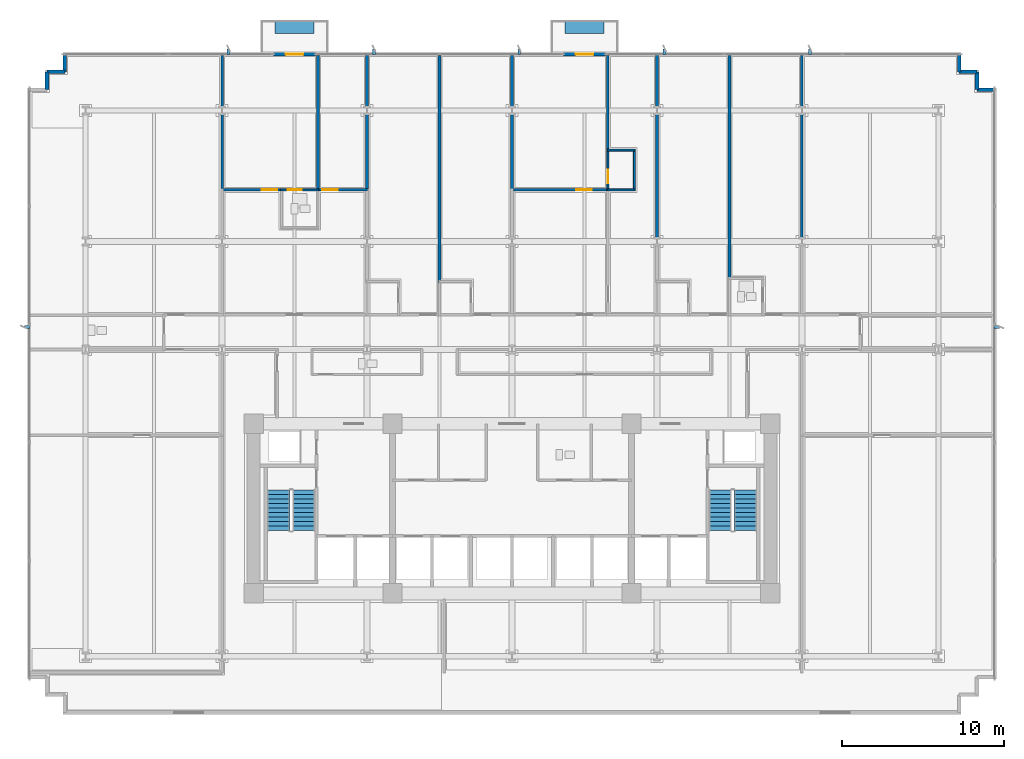
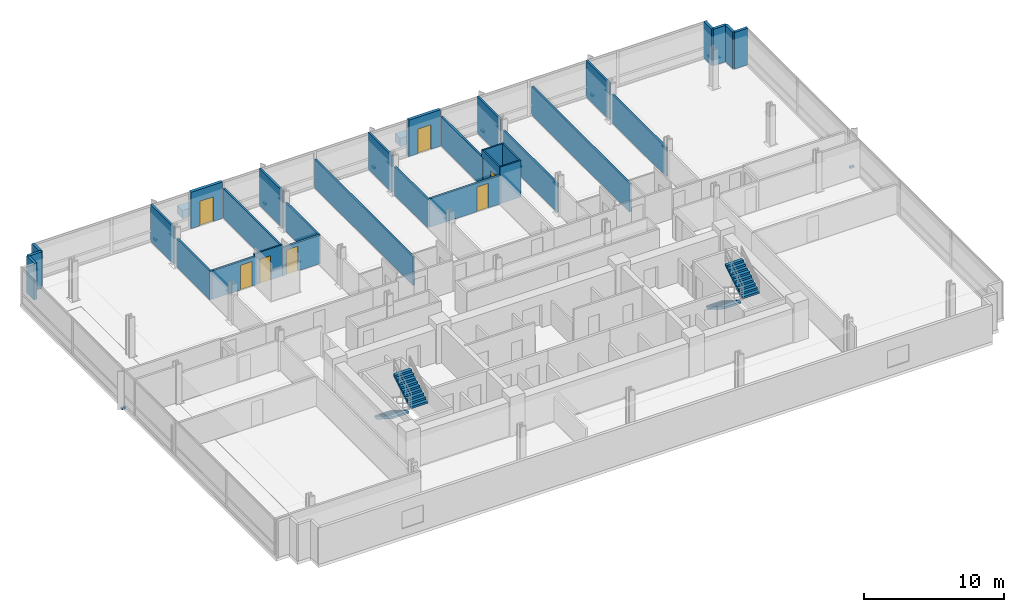
# One storey, part 11 of 15: 31 walls, 9 discrete accessories, 7 doors, 4 stair flights, 7 openings, 2 elements without a shape of their own.
"""IFC4 building model written with IfcOpenShell, lengths in metres."""

from ifc_helpers import new_model, si_unit, direction, frame, frame_2d, origin, origin_2d, place, context, subcontext, project, spatial, polyline, rectangle, outline, extrude, material, layer, layer_set, type_object, element, fill, aggregate, save


model = new_model("IFC4")

# Units and contexts
model_context = context("Model", 3, precision=1e-05, world=origin(), true_north=direction((0.0, 1.0)))
body_context = subcontext(model_context, "Body", "Model", "MODEL_VIEW")
ifc_project = project(units=[si_unit("LENGTHUNIT", "METRE"), si_unit("AREAUNIT", "SQUARE_METRE"), si_unit("VOLUMEUNIT", "CUBIC_METRE"), si_unit("PLANEANGLEUNIT", "RADIAN"), si_unit("MASSUNIT", "GRAM", prefix="KILO")], contexts=[model_context])

# Site, building, storey
site_placement = place(None, origin())
site = spatial("IfcSite", under=ifc_project, at=site_placement, CompositionType="ELEMENT")
building_placement = place(site_placement, origin())
building = spatial("IfcBuilding", under=site, at=building_placement, Name="Solmavex Isthmus Hotel", CompositionType="ELEMENT")
storey_placement = place(building_placement, frame((0.0, 0.0, 64.35009765625)))
storey = spatial("IfcBuildingStorey", under=building, at=storey_placement, Name="L17", CompositionType="ELEMENT", Elevation=64.35009765625)

# Wall, opening, door
ifc_material_1 = material(Name="Precast Concrete C40/50", Category="concrete")
ifc_layer_1 = layer(ifc_material_1, 0.25)
ifc_layer_set_1 = layer_set([ifc_layer_1], Name="Precast Concrete C40/50")
wall_type_1 = type_object("IfcWallType", Name="EW-TWR-250", PredefinedType="STANDARD", material=ifc_layer_set_1)
wall_1_placement = place(storey_placement, frame((-14.763916015625, 20.3798828125, 0.0), z_axis=(0.0, 0.0, 1.0), x_axis=(1.0, 0.0, 0.0)))
wall_1 = element("IfcWall", 1, at=wall_1_placement, inside=storey, type_object=wall_type_1, Name="Exterior Balcony Door Wall L17-2", PredefinedType="STANDARD", context=body_context, shape_type="SweptSolid", body=[
    extrude(rectangle(XDim=2.599853515625, YDim=0.239990234375, at=frame_2d((1.2998046875, 0.0))), origin(), (0.0, 0.0, 1.0), 3.18994140625),
])
opening_1_placement = place(wall_1_placement, frame((0.75, 0.0, 0.0)))
opening_1 = element("IfcOpeningElement", 2, at=opening_1_placement, cuts=wall_1, Name="Opening ED-02", PredefinedType="OPENING", context=body_context, shape_type="SweptSolid", body=[
    extrude(rectangle(XDim=1.10009765625, YDim=2.14990234375, at=frame_2d((0.550048828125, 1.074951171875))), frame((0.0, 0.1298828125, 0.0), z_axis=(0.0, -1.0, 0.0), x_axis=(1.0, 0.0, 0.0)), (0.0, 0.0, 1.0), 0.260009765625),
])
ifc_material_2 = material(Name="Aluminium alloy 6063-T6", Category="aluminium")
door_type_1 = type_object("IfcDoorType", Name="EDR-BALC-1100", OperationType="NOTDEFINED", PredefinedType="DOOR", material=ifc_material_2)
door_1_placement = place(opening_1_placement, origin())
door_1 = element("IfcDoor", 3, at=door_1_placement, inside=storey, type_object=door_type_1, Name="Balcony & Terrace Glazed Door L17-2", OperationType="SINGLE_SWING_RIGHT", OverallHeight=2.14990234375, OverallWidth=1.10009765625, PredefinedType="DOOR", context=body_context, shape_type="SweptSolid", body=[
    extrude(rectangle(XDim=1.10009765625, YDim=2.14990234375, at=frame_2d((0.550048828125, 1.074951171875))), frame((0.0, 0.02490234375, 0.0), z_axis=(0.0, -1.0, 0.0), x_axis=(1.0, 0.0, 0.0)), (0.0, 0.0, 1.0), 0.050048828125),
])
fill(opening_1, door_1)

wall_2_placement = place(storey_placement, frame((3.18798828125, 20.3798828125, 0.0), z_axis=(0.0, 0.0, 1.0), x_axis=(1.0, 0.0, 0.0)))
wall_2 = element("IfcWall", 4, at=wall_2_placement, inside=storey, type_object=wall_type_1, Name="Exterior Balcony Door Wall L17-3", PredefinedType="STANDARD", context=body_context, shape_type="SweptSolid", body=[
    extrude(rectangle(XDim=2.60009765625, YDim=0.239990234375, at=frame_2d((1.300048828125, 0.0))), origin(), (0.0, 0.0, 1.0), 3.18994140625),
])
opening_2_placement = place(wall_2_placement, frame((0.75, 0.0, 0.0)))
opening_2 = element("IfcOpeningElement", 5, at=opening_2_placement, cuts=wall_2, Name="Opening ED-02", PredefinedType="OPENING", context=body_context, shape_type="SweptSolid", body=[
    extrude(rectangle(XDim=1.10009765625, YDim=2.14990234375, at=frame_2d((0.550048828125, 1.074951171875))), frame((0.0, 0.1298828125, 0.0), z_axis=(0.0, -1.0, 0.0), x_axis=(1.0, 0.0, 0.0)), (0.0, 0.0, 1.0), 0.260009765625),
])
door_2_placement = place(opening_2_placement, origin())
door_2 = element("IfcDoor", 6, at=door_2_placement, inside=storey, type_object=door_type_1, Name="Balcony & Terrace Glazed Door L17-3", OperationType="SINGLE_SWING_LEFT", OverallHeight=2.14990234375, OverallWidth=1.10009765625, PredefinedType="DOOR", context=body_context, shape_type="SweptSolid", body=[
    extrude(rectangle(XDim=1.10009765625, YDim=2.14990234375, at=frame_2d((0.550048828125, 1.074951171875))), frame((0.0, 0.02490234375, 0.0), z_axis=(0.0, -1.0, 0.0), x_axis=(1.0, 0.0, 0.0)), (0.0, 0.0, 1.0), 0.050048828125),
])
fill(opening_2, door_2)

# Walls
for number, where, z_axis, x_axis, name in (
    (7, (-28.7900390625, 18.18994140625, 0.0), (0.0, 0.0, 1.0), (0.0, 1.0, 0.0), "Serrated Corner Facade Panel L17-07"),
    (8, (-28.7900390625, 19.2900390625, 0.0), (0.0, 0.0, 1.0), (1.0, 0.0, 0.0), "Serrated Corner Facade Panel L17-08"),
):
    element("IfcWall", number, at=place(storey_placement, frame(where, z_axis=z_axis, x_axis=x_axis)), inside=storey, type_object=wall_type_1, Name=name, PredefinedType="STANDARD", context=body_context, shape_type="SweptSolid", body=[
        extrude(rectangle(XDim=1.10009765625, YDim=0.219970703125, at=frame_2d((0.550048828125, 0.0))), origin(), (0.0, 0.0, 1.0), 3.18994140625),
    ])
for number, where, z_axis, x_axis, name in (
    (9, (-27.68994140625, 19.2900390625, 0.0), (0.0, 0.0, 1.0), (0.0, 1.0, 0.0), "Serrated Corner Facade Panel L17-09"),
    (10, (27.68994140625, 20.389892578125, 0.0), (0.0, 0.0, 1.0), (0.0, -1.0, 0.0), "Serrated Corner Facade Panel L17-11"),
):
    element("IfcWall", number, at=place(storey_placement, frame(where, z_axis=z_axis, x_axis=x_axis)), inside=storey, type_object=wall_type_1, Name=name, PredefinedType="STANDARD", context=body_context, shape_type="SweptSolid", body=[
        extrude(rectangle(XDim=1.099853515625, YDim=0.219970703125, at=frame_2d((0.5498046875, 0.0))), origin(), (0.0, 0.0, 1.0), 3.18994140625),
    ])
for number, where, z_axis, x_axis, name in (
    (11, (27.68994140625, 19.2900390625, 0.0), (0.0, 0.0, 1.0), (1.0, 0.0, 0.0), "Serrated Corner Facade Panel L17-12"),
    (12, (28.7900390625, 19.2900390625, 0.0), (0.0, 0.0, 1.0), (0.0, -1.0, 0.0), "Serrated Corner Facade Panel L17-13"),
):
    element("IfcWall", number, at=place(storey_placement, frame(where, z_axis=z_axis, x_axis=x_axis)), inside=storey, type_object=wall_type_1, Name=name, PredefinedType="STANDARD", context=body_context, shape_type="SweptSolid", body=[
        extrude(rectangle(XDim=1.10009765625, YDim=0.219970703125, at=frame_2d((0.550048828125, 0.0))), origin(), (0.0, 0.0, 1.0), 3.18994140625),
    ])
wall_3_placement = place(storey_placement, frame((28.7900390625, 18.18994140625, 0.0), z_axis=(0.0, 0.0, 1.0), x_axis=(1.0, 0.0, 0.0)))
element("IfcWall", 13, at=wall_3_placement, inside=storey, type_object=wall_type_1, Name="Serrated Corner Facade Panel L17-14", PredefinedType="STANDARD", context=body_context, shape_type="SweptSolid", body=[
    extrude(rectangle(XDim=1.099853515625, YDim=0.219970703125, at=frame_2d((0.5498046875, 0.0))), origin(), (0.0, 0.0, 1.0), 3.18994140625),
])
ifc_material_3 = material(Name="Gypsum plasterboard lining", Category="gypsum")
ifc_layer_2 = layer(ifc_material_3, 0.159912109375)
ifc_layer_set_2 = layer_set([ifc_layer_2], Name="Gypsum plasterboard lining")
wall_type_2 = type_object("IfcWallType", Name="IW-COMP-160", PredefinedType="PARTITIONING", material=ifc_layer_set_2)
wall_4_placement = place(storey_placement, frame((-17.951904296875, 16.72509765625, 0.0), z_axis=(0.0, 0.0, 1.0), x_axis=(0.0, -1.0, 0.0)))
element("IfcWall", 14, at=wall_4_placement, inside=storey, type_object=wall_type_2, Name="Interior Partition Wall W-L17-P038", PredefinedType="PARTITIONING", context=body_context, shape_type="SweptSolid", body=[
    extrude(rectangle(XDim=4.819091796875, YDim=0.159912109375, at=frame_2d((2.40966796875, 0.0))), origin(), (0.0, 0.0, 1.0), 2.4794921875),
])
wall_5_placement = place(storey_placement, frame((-17.951904296875, 20.419921875, 0.0), z_axis=(0.0, 0.0, 1.0), x_axis=(0.0, -1.0, 0.0)))
element("IfcWall", 15, at=wall_5_placement, inside=storey, type_object=wall_type_2, Name="Interior Partition Wall W-L17-P039", PredefinedType="PARTITIONING", context=body_context, shape_type="SweptSolid", body=[
    extrude(rectangle(XDim=3.344970703125, YDim=0.159912109375, at=frame_2d((1.67236328125, 0.0))), origin(), (0.0, 0.0, 1.0), 3.18994140625),
])

# Wall, opening, door
wall_6_placement = place(storey_placement, frame((-17.991943359375, 11.988037109375, 0.0), z_axis=(0.0, 0.0, 1.0), x_axis=(1.0, 0.0, 0.0)))
wall_6 = element("IfcWall", 16, at=wall_6_placement, inside=storey, type_object=wall_type_2, Name="Interior Partition Wall W-L17-P041", PredefinedType="PARTITIONING", context=body_context, shape_type="SweptSolid", body=[
    extrude(rectangle(XDim=3.767822265625, YDim=0.159912109375, at=frame_2d((1.8837890625, 0.0))), origin(), (0.0, 0.0, 1.0), 2.4794921875),
])
opening_3_placement = place(wall_6_placement, frame((2.493408203125, 0.0, 0.0)))
opening_3 = element("IfcOpeningElement", 17, at=opening_3_placement, cuts=wall_6, Name="Opening ID-C095", PredefinedType="OPENING", context=body_context, shape_type="SweptSolid", body=[
    extrude(rectangle(XDim=0.949951171875, YDim=2.14990234375, at=frame_2d((0.47509765625, 1.074951171875))), frame((0.0, 0.08984375, 0.0), z_axis=(0.0, -1.0, 0.0), x_axis=(1.0, 0.0, 0.0)), (0.0, 0.0, 1.0), 0.179931640625),
])
ifc_material_4 = material(Name="Hardwood timber", Category="wood")
door_type_2 = type_object("IfcDoorType", Name="IDR-FD60-0950", OperationType="NOTDEFINED", PredefinedType="DOOR", material=ifc_material_4)
door_3_placement = place(opening_3_placement, origin())
door_3 = element("IfcDoor", 18, at=door_3_placement, inside=storey, type_object=door_type_2, Name="Ambassador Suite Bedroom Door L17-03", OperationType="SINGLE_SWING_LEFT", OverallHeight=2.14990234375, OverallWidth=0.949951171875, PredefinedType="DOOR", context=body_context, shape_type="SweptSolid", body=[
    extrude(rectangle(XDim=0.949951171875, YDim=2.14990234375, at=frame_2d((0.47509765625, 1.074951171875))), frame((0.0, 0.02490234375, 0.0), z_axis=(0.0, -1.0, 0.0), x_axis=(1.0, 0.0, 0.0)), (0.0, 0.0, 1.0), 0.050048828125),
])
fill(opening_3, door_3)

wall_7_placement = place(storey_placement, frame((-12.053955078125, 11.988037109375, 0.0), z_axis=(0.0, 0.0, 1.0), x_axis=(1.0, 0.0, 0.0)))
wall_7 = element("IfcWall", 19, at=wall_7_placement, inside=storey, type_object=wall_type_2, Name="Interior Partition Wall W-L17-P042", PredefinedType="PARTITIONING", context=body_context, shape_type="SweptSolid", body=[
    extrude(rectangle(XDim=3.117919921875, YDim=0.159912109375, at=frame_2d((1.55908203125, 0.0))), origin(), (0.0, 0.0, 1.0), 2.4794921875),
])
opening_4_placement = place(wall_7_placement, frame((0.318359375, 0.0, 0.0)))
opening_4 = element("IfcOpeningElement", 20, at=opening_4_placement, cuts=wall_7, Name="Opening ID-C095", PredefinedType="OPENING", context=body_context, shape_type="SweptSolid", body=[
    extrude(rectangle(XDim=0.949951171875, YDim=2.14990234375, at=frame_2d((0.47509765625, 1.074951171875))), frame((0.0, 0.08984375, 0.0), z_axis=(0.0, -1.0, 0.0), x_axis=(1.0, 0.0, 0.0)), (0.0, 0.0, 1.0), 0.179931640625),
])
door_4_placement = place(opening_4_placement, origin())
door_4 = element("IfcDoor", 21, at=door_4_placement, inside=storey, type_object=door_type_2, Name="Ambassador Suite Sitting Lounge Door L17-04", OperationType="SINGLE_SWING_RIGHT", OverallHeight=2.14990234375, OverallWidth=0.949951171875, PredefinedType="DOOR", context=body_context, shape_type="SweptSolid", body=[
    extrude(rectangle(XDim=0.949951171875, YDim=2.14990234375, at=frame_2d((0.47509765625, 1.074951171875))), frame((0.0, 0.02490234375, 0.0), z_axis=(0.0, -1.0, 0.0), x_axis=(1.0, 0.0, 0.0)), (0.0, 0.0, 1.0), 0.050048828125),
])
fill(opening_4, door_4)

# Walls
wall_8_placement = place(storey_placement, frame((-12.013916015625, 20.300048828125, 0.0), z_axis=(0.0, 0.0, 1.0), x_axis=(0.0, -1.0, 0.0)))
element("IfcWall", 22, at=wall_8_placement, inside=storey, type_object=wall_type_2, Name="Interior Partition Wall W-L17-P049", PredefinedType="PARTITIONING", context=body_context, shape_type="SweptSolid", body=[
    extrude(rectangle(XDim=8.35205078125, YDim=0.159912109375, at=frame_2d((4.176025390625, 0.0))), origin(), (0.0, 0.0, 1.0), 2.55322265625),
])
wall_9_placement = place(storey_placement, frame((-8.97607421875, 16.72509765625, 0.0), z_axis=(0.0, 0.0, 1.0), x_axis=(0.0, -1.0, 0.0)))
element("IfcWall", 23, at=wall_9_placement, inside=storey, type_object=wall_type_2, Name="Interior Partition Wall W-L17-P051", PredefinedType="PARTITIONING", context=body_context, shape_type="SweptSolid", body=[
    extrude(rectangle(XDim=4.777099609375, YDim=0.159912109375, at=frame_2d((2.388671875, 0.0))), origin(), (0.0, 0.0, 1.0), 2.4794921875),
])
wall_10_placement = place(storey_placement, frame((-8.97607421875, 20.419921875, 0.0), z_axis=(0.0, 0.0, 1.0), x_axis=(0.0, -1.0, 0.0)))
element("IfcWall", 24, at=wall_10_placement, inside=storey, type_object=wall_type_2, Name="Interior Partition Wall W-L17-P052", PredefinedType="PARTITIONING", context=body_context, shape_type="SweptSolid", body=[
    extrude(rectangle(XDim=3.344970703125, YDim=0.159912109375, at=frame_2d((1.67236328125, 0.0))), origin(), (0.0, 0.0, 1.0), 3.18994140625),
])
wall_11_placement = place(storey_placement, frame((-4.488037109375, 20.300048828125, 0.0), z_axis=(0.0, 0.0, 1.0), x_axis=(0.0, -1.0, 0.0)))
element("IfcWall", 25, at=wall_11_placement, inside=storey, type_object=wall_type_2, Name="Interior Partition Wall W-L17-P055", PredefinedType="PARTITIONING", context=body_context, shape_type="SweptSolid", body=[
    extrude(rectangle(XDim=14.08203125, YDim=0.159912109375, at=frame_2d((7.041015625, 0.0))), origin(), (0.0, 0.0, 1.0), 2.4794921875),
])
wall_12_placement = place(storey_placement, frame((0.0, 16.72509765625, 0.0), z_axis=(0.0, 0.0, 1.0), x_axis=(0.0, -1.0, 0.0)))
element("IfcWall", 26, at=wall_12_placement, inside=storey, type_object=wall_type_2, Name="Interior Partition Wall W-L17-P061", PredefinedType="PARTITIONING", context=body_context, shape_type="SweptSolid", body=[
    extrude(rectangle(XDim=4.819091796875, YDim=0.159912109375, at=frame_2d((2.40966796875, 0.0))), origin(), (0.0, 0.0, 1.0), 2.4794921875),
])
wall_13_placement = place(storey_placement, frame((0.0, 20.419921875, 0.0), z_axis=(0.0, 0.0, 1.0), x_axis=(0.0, -1.0, 0.0)))
element("IfcWall", 27, at=wall_13_placement, inside=storey, type_object=wall_type_2, Name="Interior Partition Wall W-L17-P062", PredefinedType="PARTITIONING", context=body_context, shape_type="SweptSolid", body=[
    extrude(rectangle(XDim=3.344970703125, YDim=0.159912109375, at=frame_2d((1.67236328125, 0.0))), origin(), (0.0, 0.0, 1.0), 3.18994140625),
])

# Wall, opening, door
wall_14_placement = place(storey_placement, frame((-0.0400390625, 11.988037109375, 0.0), z_axis=(0.0, 0.0, 1.0), x_axis=(1.0, 0.0, 0.0)))
wall_14 = element("IfcWall", 28, at=wall_14_placement, inside=storey, type_object=wall_type_2, Name="Interior Partition Wall W-L17-P063", PredefinedType="PARTITIONING", context=body_context, shape_type="SweptSolid", body=[
    extrude(rectangle(XDim=6.01806640625, YDim=0.159912109375, at=frame_2d((3.009033203125, 0.0))), origin(), (0.0, 0.0, 1.0), 2.4794921875),
])
opening_5_placement = place(wall_14_placement, frame((4.030517578125, 0.0, 0.0)))
opening_5 = element("IfcOpeningElement", 29, at=opening_5_placement, cuts=wall_14, Name="Opening ID-C095", PredefinedType="OPENING", context=body_context, shape_type="SweptSolid", body=[
    extrude(rectangle(XDim=0.949951171875, YDim=2.14990234375, at=frame_2d((0.47509765625, 1.074951171875))), frame((0.0, 0.08984375, 0.0), z_axis=(0.0, -1.0, 0.0), x_axis=(1.0, 0.0, 0.0)), (0.0, 0.0, 1.0), 0.179931640625),
])
door_5_placement = place(opening_5_placement, origin())
door_5 = element("IfcDoor", 30, at=door_5_placement, inside=storey, type_object=door_type_2, Name="Premier Suite Master Bedroom Door L17-11", OperationType="SINGLE_SWING_LEFT", OverallHeight=2.14990234375, OverallWidth=0.949951171875, PredefinedType="DOOR", context=body_context, shape_type="SweptSolid", body=[
    extrude(rectangle(XDim=0.949951171875, YDim=2.14990234375, at=frame_2d((0.47509765625, 1.074951171875))), frame((0.0, 0.02490234375, 0.0), z_axis=(0.0, -1.0, 0.0), x_axis=(1.0, 0.0, 0.0)), (0.0, 0.0, 1.0), 0.050048828125),
])
fill(opening_5, door_5)

# Walls
wall_15_placement = place(storey_placement, frame((5.93798828125, 20.300048828125, 0.0), z_axis=(0.0, 0.0, 1.0), x_axis=(0.0, -1.0, 0.0)))
element("IfcWall", 31, at=wall_15_placement, inside=storey, type_object=wall_type_2, Name="Interior Partition Wall W-L17-P065", PredefinedType="PARTITIONING", context=body_context, shape_type="SweptSolid", body=[
    extrude(rectangle(XDim=5.944091796875, YDim=0.159912109375, at=frame_2d((2.97216796875, 0.0))), origin(), (0.0, 0.0, 1.0), 2.55322265625),
])
wall_16_placement = place(storey_placement, frame((8.97607421875, 16.72509765625, 0.0), z_axis=(0.0, 0.0, 1.0), x_axis=(0.0, -1.0, 0.0)))
element("IfcWall", 32, at=wall_16_placement, inside=storey, type_object=wall_type_2, Name="Interior Partition Wall W-L17-P071", PredefinedType="PARTITIONING", context=body_context, shape_type="SweptSolid", body=[
    extrude(rectangle(XDim=7.76220703125, YDim=0.159912109375, at=frame_2d((3.881103515625, 0.0))), origin(), (0.0, 0.0, 1.0), 2.4794921875),
])
wall_17_placement = place(storey_placement, frame((8.97607421875, 20.419921875, 0.0), z_axis=(0.0, 0.0, 1.0), x_axis=(0.0, -1.0, 0.0)))
element("IfcWall", 33, at=wall_17_placement, inside=storey, type_object=wall_type_2, Name="Interior Partition Wall W-L17-P072", PredefinedType="PARTITIONING", context=body_context, shape_type="SweptSolid", body=[
    extrude(rectangle(XDim=3.344970703125, YDim=0.159912109375, at=frame_2d((1.67236328125, 0.0))), origin(), (0.0, 0.0, 1.0), 3.18994140625),
])
wall_18_placement = place(storey_placement, frame((13.464111328125, 20.419921875, 0.0), z_axis=(0.0, 0.0, 1.0), x_axis=(0.0, -1.0, 0.0)))
element("IfcWall", 34, at=wall_18_placement, inside=storey, type_object=wall_type_2, Name="Interior Partition Wall W-L17-P076", PredefinedType="PARTITIONING", context=body_context, shape_type="SweptSolid", body=[
    extrude(rectangle(XDim=14.001953125, YDim=0.159912109375, at=frame_2d((7.0009765625, 0.0))), origin(), (0.0, 0.0, 1.0), 2.4794921875),
])
wall_19_placement = place(storey_placement, frame((17.951904296875, 16.72509765625, 0.0), z_axis=(0.0, 0.0, 1.0), x_axis=(0.0, -1.0, 0.0)))
element("IfcWall", 35, at=wall_19_placement, inside=storey, type_object=wall_type_2, Name="Interior Partition Wall W-L17-P081", PredefinedType="PARTITIONING", context=body_context, shape_type="SweptSolid", body=[
    extrude(rectangle(XDim=7.76220703125, YDim=0.159912109375, at=frame_2d((3.881103515625, 0.0))), origin(), (0.0, 0.0, 1.0), 2.4794921875),
])
wall_20_placement = place(storey_placement, frame((17.951904296875, 20.419921875, 0.0), z_axis=(0.0, 0.0, 1.0), x_axis=(0.0, -1.0, 0.0)))
element("IfcWall", 36, at=wall_20_placement, inside=storey, type_object=wall_type_2, Name="Interior Partition Wall W-L17-P082", PredefinedType="PARTITIONING", context=body_context, shape_type="SweptSolid", body=[
    extrude(rectangle(XDim=3.344970703125, YDim=0.159912109375, at=frame_2d((1.67236328125, 0.0))), origin(), (0.0, 0.0, 1.0), 3.18994140625),
])

# Wall, opening, door
ifc_layer_3 = layer(ifc_material_3, 0.1201171875)
ifc_layer_set_3 = layer_set([ifc_layer_3], Name="Gypsum plasterboard lining")
wall_type_3 = type_object("IfcWallType", Name="IW-PART-120", PredefinedType="PARTITIONING", material=ifc_layer_set_3)
wall_21_placement = place(storey_placement, frame((-11.97412109375, 11.988037109375, 0.0), z_axis=(0.0, 0.0, 1.0), x_axis=(-1.0, 0.0, 0.0)))
wall_21 = element("IfcWall", 37, at=wall_21_placement, inside=storey, type_object=wall_type_3, Name="Interior Partition Wall W-L17-P050", PredefinedType="PARTITIONING", context=body_context, shape_type="SweptSolid", body=[
    extrude(rectangle(XDim=2.371826171875, YDim=0.1201171875, at=frame_2d((1.18603515625, 0.0))), origin(), (0.0, 0.0, 1.0), 2.718017578125),
])
opening_6_placement = place(wall_21_placement, frame((1.0498046875, 0.0, 0.0)))
opening_6 = element("IfcOpeningElement", 38, at=opening_6_placement, cuts=wall_21, Name="Opening ID-U085", PredefinedType="OPENING", context=body_context, shape_type="SweptSolid", body=[
    extrude(rectangle(XDim=0.85009765625, YDim=2.10009765625, at=frame_2d((0.425048828125, 1.050048828125))), frame((0.0, 0.070068359375, 0.0), z_axis=(0.0, -1.0, 0.0), x_axis=(1.0, 0.0, 0.0)), (0.0, 0.0, 1.0), 0.14013671875),
])
door_type_3 = type_object("IfcDoorType", Name="IDR-UNR-0850", OperationType="NOTDEFINED", PredefinedType="DOOR", material=ifc_material_4)
door_6_placement = place(opening_6_placement, frame((0.85009765625, 0.0, 0.0), z_axis=(0.0, 0.0, 1.0), x_axis=(-1.0, 0.0, 0.0)))
door_6 = element("IfcDoor", 39, at=door_6_placement, inside=storey, type_object=door_type_3, Name="En-suite Bathroom Door L17-05", OperationType="SINGLE_SWING_LEFT", OverallHeight=2.10009765625, OverallWidth=0.85009765625, PredefinedType="DOOR", context=body_context, shape_type="SweptSolid", body=[
    extrude(rectangle(XDim=0.85009765625, YDim=2.10009765625, at=frame_2d((0.425048828125, 1.050048828125))), frame((0.0, 0.02490234375, 0.0), z_axis=(0.0, -1.0, 0.0), x_axis=(1.0, 0.0, 0.0)), (0.0, 0.0, 1.0), 0.050048828125),
])
fill(opening_6, door_6)

wall_22_placement = place(storey_placement, frame((5.93798828125, 14.52001953125, 0.0), z_axis=(0.0, 0.0, 1.0), x_axis=(0.0, -1.0, 0.0)))
wall_22 = element("IfcWall", 40, at=wall_22_placement, inside=storey, type_object=wall_type_3, Name="Interior Partition Wall W-L17-P066", PredefinedType="PARTITIONING", context=body_context, shape_type="SweptSolid", body=[
    extrude(rectangle(XDim=2.572021484375, YDim=0.1201171875, at=frame_2d((1.2861328125, 0.0))), origin(), (0.0, 0.0, 1.0), 3.18994140625),
])
opening_7_placement = place(wall_22_placement, frame((1.27978515625, 0.0, 0.0)))
opening_7 = element("IfcOpeningElement", 41, at=opening_7_placement, cuts=wall_22, Name="Opening ID-U085", PredefinedType="OPENING", context=body_context, shape_type="SweptSolid", body=[
    extrude(rectangle(XDim=0.85009765625, YDim=2.10009765625, at=frame_2d((0.425048828125, 1.050048828125))), frame((0.0, 0.070068359375, 0.0), z_axis=(0.0, -1.0, 0.0), x_axis=(1.0, 0.0, 0.0)), (0.0, 0.0, 1.0), 0.14013671875),
])
door_7_placement = place(opening_7_placement, frame((0.85009765625, 0.0, 0.0), z_axis=(0.0, 0.0, 1.0), x_axis=(-1.0, 0.0, 0.0)))
door_7 = element("IfcDoor", 42, at=door_7_placement, inside=storey, type_object=door_type_3, Name="En-suite Bathroom Door L17-13", OperationType="SINGLE_SWING_LEFT", OverallHeight=2.10009765625, OverallWidth=0.85009765625, PredefinedType="DOOR", context=body_context, shape_type="SweptSolid", body=[
    extrude(rectangle(XDim=0.85009765625, YDim=2.10009765625, at=frame_2d((0.425048828125, 1.050048828125))), frame((0.0, 0.02490234375, 0.0), z_axis=(0.0, -1.0, 0.0), x_axis=(1.0, 0.0, 0.0)), (0.0, 0.0, 1.0), 0.050048828125),
])
fill(opening_7, door_7)

# Walls
wall_23_placement = place(storey_placement, frame((5.89794921875, 11.988037109375, 0.0), z_axis=(0.0, 0.0, 1.0), x_axis=(1.0, 0.0, 0.0)))
element("IfcWall", 43, at=wall_23_placement, inside=storey, type_object=wall_type_3, Name="Interior Partition Wall W-L17-P067", PredefinedType="PARTITIONING", context=body_context, shape_type="SweptSolid", body=[
    extrude(rectangle(XDim=1.718017578125, YDim=0.1201171875, at=frame_2d((0.85888671875, 0.0))), origin(), (0.0, 0.0, 1.0), 3.18994140625),
])
wall_24_placement = place(storey_placement, frame((7.575927734375, 11.947998046875, 0.0), z_axis=(0.0, 0.0, 1.0), x_axis=(0.0, 1.0, 0.0)))
element("IfcWall", 44, at=wall_24_placement, inside=storey, type_object=wall_type_3, Name="Interior Partition Wall W-L17-P068", PredefinedType="PARTITIONING", context=body_context, shape_type="SweptSolid", body=[
    extrude(rectangle(XDim=2.530029296875, YDim=0.1201171875, at=frame_2d((1.26513671875, 0.0))), origin(), (0.0, 0.0, 1.0), 3.18994140625),
])
wall_25_placement = place(storey_placement, frame((7.615966796875, 14.43798828125, 0.0), z_axis=(0.0, 0.0, 1.0), x_axis=(-1.0, 0.0, 0.0)))
element("IfcWall", 45, at=wall_25_placement, inside=storey, type_object=wall_type_3, Name="Interior Partition Wall W-L17-P069", PredefinedType="PARTITIONING", context=body_context, shape_type="SweptSolid", body=[
    extrude(rectangle(XDim=1.718017578125, YDim=0.1201171875, at=frame_2d((0.85888671875, 0.0))), origin(), (0.0, 0.0, 1.0), 3.18994140625),
])

# Stair, stair flights
ifc_material_5 = material(Name="Concrete C40/50", Category="concrete")
stair_type_1 = type_object("IfcStairType", Name="STR-ST-1", PredefinedType="HALF_TURN_STAIR", material=ifc_material_5)
stair_1_placement = place(storey_placement, origin())
stair_1 = element("IfcStair", 46, at=stair_1_placement, inside=storey, type_object=stair_type_1, Name="L17 Protected Exit Stair ST-1", PredefinedType="HALF_TURN_STAIR")
stair_flight_type_1 = type_object("IfcStairFlightType", Name="SFL-ST-1", PredefinedType="STRAIGHT", material=ifc_material_5)
stair_flight_1_placement = place(storey_placement, frame((-14.449951171875, -6.60009765625, 0.0), z_axis=(0.0, 0.0, 1.0), x_axis=(0.0, -1.0, 0.0)))
stair_flight_1 = element("IfcStairFlight", 47, at=stair_flight_1_placement, type_object=stair_flight_type_1, Name="ST-1 flight 1", NumberOfRisers=10, NumberOfTreads=9, PredefinedType="STRAIGHT", RiserHeight=0.1725, TreadLength=0.28, context=body_context, shape_type="SweptSolid", body=[
    extrude(outline(polyline([(0.0, 0.0), (0.0, 0.172607421875), (0.280029296875, 0.172607421875), (0.280029296875, 0.344970703125), (0.56005859375, 0.344970703125), (0.56005859375, 0.517578125), (0.840087890625, 0.517578125), (0.840087890625, 0.68994140625), (1.1201171875, 0.68994140625), (1.1201171875, 0.862548828125), (1.39990234375, 0.862548828125), (1.39990234375, 1.034912109375), (1.679931640625, 1.034912109375), (1.679931640625, 1.20751953125), (1.9599609375, 1.20751953125), (1.9599609375, 1.3798828125), (2.239990234375, 1.3798828125), (2.239990234375, 1.552490234375), (2.52001953125, 1.552490234375), (2.52001953125, 1.72509765625), (2.52001953125, 1.37646484375), (0.285888671875, 0.0), (0.0, 0.0)])), frame((0.0, 0.699951171875, 0.0), z_axis=(0.0, -1.0, 0.0), x_axis=(1.0, 0.0, 0.0)), (0.0, 0.0, 1.0), 1.39990234375),
])
stair_flight_2_placement = place(storey_placement, frame((-12.89990234375, -9.1201171875, 1.724853515625), z_axis=(0.0, 0.0, 1.0), x_axis=(0.0, 1.0, 0.0)))
stair_flight_2 = element("IfcStairFlight", 48, at=stair_flight_2_placement, type_object=stair_flight_type_1, Name="ST-1 flight 2", NumberOfRisers=10, NumberOfTreads=9, PredefinedType="STRAIGHT", RiserHeight=0.1725, TreadLength=0.28, context=body_context, shape_type="SweptSolid", body=[
    extrude(outline(polyline([(0.0, 0.0), (0.0, 0.172607421875), (0.280029296875, 0.172607421875), (0.280029296875, 0.344970703125), (0.56005859375, 0.344970703125), (0.56005859375, 0.517578125), (0.840087890625, 0.517578125), (0.840087890625, 0.68994140625), (1.1201171875, 0.68994140625), (1.1201171875, 0.862548828125), (1.39990234375, 0.862548828125), (1.39990234375, 1.034912109375), (1.679931640625, 1.034912109375), (1.679931640625, 1.20751953125), (1.9599609375, 1.20751953125), (1.9599609375, 1.3798828125), (2.239990234375, 1.3798828125), (2.239990234375, 1.552490234375), (2.52001953125, 1.552490234375), (2.52001953125, 1.72509765625), (2.52001953125, 1.37646484375), (0.285888671875, 0.0), (0.0, 0.0)])), frame((0.0, 0.699951171875, 0.0), z_axis=(0.0, -1.0, 0.0), x_axis=(1.0, 0.0, 0.0)), (0.0, 0.0, 1.0), 1.39990234375),
])
aggregate(stair_1, [stair_flight_1, stair_flight_2])

stair_type_2 = type_object("IfcStairType", Name="STR-ST-2", PredefinedType="HALF_TURN_STAIR", material=ifc_material_5)
stair_2_placement = place(storey_placement, origin())
stair_2 = element("IfcStair", 49, at=stair_2_placement, inside=storey, type_object=stair_type_2, Name="L17 Protected Exit Stair ST-2", PredefinedType="HALF_TURN_STAIR")
stair_flight_type_2 = type_object("IfcStairFlightType", Name="SFL-ST-2", PredefinedType="STRAIGHT", material=ifc_material_5)
stair_flight_3_placement = place(storey_placement, frame((12.89990234375, -6.60009765625, 0.0), z_axis=(0.0, 0.0, 1.0), x_axis=(0.0, -1.0, 0.0)))
stair_flight_3 = element("IfcStairFlight", 50, at=stair_flight_3_placement, type_object=stair_flight_type_2, Name="ST-2 flight 1", NumberOfRisers=10, NumberOfTreads=9, PredefinedType="STRAIGHT", RiserHeight=0.1725, TreadLength=0.28, context=body_context, shape_type="SweptSolid", body=[
    extrude(outline(polyline([(0.0, 0.0), (0.0, 0.172607421875), (0.280029296875, 0.172607421875), (0.280029296875, 0.344970703125), (0.56005859375, 0.344970703125), (0.56005859375, 0.517578125), (0.840087890625, 0.517578125), (0.840087890625, 0.68994140625), (1.1201171875, 0.68994140625), (1.1201171875, 0.862548828125), (1.39990234375, 0.862548828125), (1.39990234375, 1.034912109375), (1.679931640625, 1.034912109375), (1.679931640625, 1.20751953125), (1.9599609375, 1.20751953125), (1.9599609375, 1.3798828125), (2.239990234375, 1.3798828125), (2.239990234375, 1.552490234375), (2.52001953125, 1.552490234375), (2.52001953125, 1.72509765625), (2.52001953125, 1.37646484375), (0.285888671875, 0.0), (0.0, 0.0)])), frame((0.0, 0.699951171875, 0.0), z_axis=(0.0, -1.0, 0.0), x_axis=(1.0, 0.0, 0.0)), (0.0, 0.0, 1.0), 1.39990234375),
])
stair_flight_4_placement = place(storey_placement, frame((14.449951171875, -9.1201171875, 1.724853515625), z_axis=(0.0, 0.0, 1.0), x_axis=(0.0, 1.0, 0.0)))
stair_flight_4 = element("IfcStairFlight", 51, at=stair_flight_4_placement, type_object=stair_flight_type_2, Name="ST-2 flight 2", NumberOfRisers=10, NumberOfTreads=9, PredefinedType="STRAIGHT", RiserHeight=0.1725, TreadLength=0.28, context=body_context, shape_type="SweptSolid", body=[
    extrude(outline(polyline([(0.0, 0.0), (0.0, 0.172607421875), (0.280029296875, 0.172607421875), (0.280029296875, 0.344970703125), (0.56005859375, 0.344970703125), (0.56005859375, 0.517578125), (0.840087890625, 0.517578125), (0.840087890625, 0.68994140625), (1.1201171875, 0.68994140625), (1.1201171875, 0.862548828125), (1.39990234375, 0.862548828125), (1.39990234375, 1.034912109375), (1.679931640625, 1.034912109375), (1.679931640625, 1.20751953125), (1.9599609375, 1.20751953125), (1.9599609375, 1.3798828125), (2.239990234375, 1.3798828125), (2.239990234375, 1.552490234375), (2.52001953125, 1.552490234375), (2.52001953125, 1.72509765625), (2.52001953125, 1.37646484375), (0.285888671875, 0.0), (0.0, 0.0)])), frame((0.0, 0.699951171875, 0.0), z_axis=(0.0, -1.0, 0.0), x_axis=(1.0, 0.0, 0.0)), (0.0, 0.0, 1.0), 1.39990234375),
])
aggregate(stair_2, [stair_flight_3, stair_flight_4])

# Discrete accessories
ifc_material_6 = material(Name="Steel ASTM A572 Grade 50", Category="steel")
discrete_accessory_type_1 = type_object("IfcDiscreteAccessoryType", Name="ACC-BRK-FIN", PredefinedType="BRACKET", material=ifc_material_6)
for number, where, z_axis, x_axis, name in (
    (52, (-17.550048828125, 20.52001953125, -0.169921875), (0.0, 0.0, 1.0), (0.0, 1.0, 0.0), "Facade Fin Support Bracket L17-N1"),
    (53, (-8.550048828125, 20.52001953125, -0.169921875), (0.0, 0.0, 1.0), (0.0, 1.0, 0.0), "Facade Fin Support Bracket L17-N2"),
    (54, (0.449951171875, 20.52001953125, -0.169921875), (0.0, 0.0, 1.0), (0.0, 1.0, 0.0), "Facade Fin Support Bracket L17-N3"),
    (55, (9.449951171875, 20.52001953125, -0.169921875), (0.0, 0.0, 1.0), (0.0, 1.0, 0.0), "Facade Fin Support Bracket L17-N4"),
    (56, (18.449951171875, 20.52001953125, -0.169921875), (0.0, 0.0, 1.0), (0.0, 1.0, 0.0), "Facade Fin Support Bracket L17-N5"),
    (57, (-30.02001953125, 3.5, -0.169921875), (0.0, 0.0, 1.0), (-1.0, 0.0, 0.0), "Facade Fin Support Bracket L17-W1"),
    (58, (30.02001953125, 3.5, -0.169921875), (0.0, 0.0, 1.0), (1.0, 0.0, 0.0), "Facade Fin Support Bracket L17-E1"),
):
    element("IfcDiscreteAccessory", number, at=place(storey_placement, frame(where, z_axis=z_axis, x_axis=x_axis)), inside=storey, type_object=discrete_accessory_type_1, Name=name, PredefinedType="BRACKET", context=body_context, shape_type="SweptSolid", body=[
        extrude(rectangle(XDim=0.340087890625, YDim=0.179931640625, at=origin_2d()), origin(), (0.0, 0.0, 1.0), 0.159912109375),
    ])
discrete_accessory_type_2 = type_object("IfcDiscreteAccessoryType", Name="ACC-PLN-BALC", PredefinedType="USERDEFINED", material=ifc_material_1)
for number, where, z_axis, x_axis, name in (
    (59, (-13.464111328125, 22.050048828125, 0.0), (0.0, 0.0, 1.0), (1.0, 0.0, 0.0), "Tree-Balcony Architectural Planter L17-B1"),
    (60, (4.488037109375, 22.050048828125, 0.0), (0.0, 0.0, 1.0), (1.0, 0.0, 0.0), "Tree-Balcony Architectural Planter L17-B2"),
):
    element("IfcDiscreteAccessory", number, at=place(storey_placement, frame(where, z_axis=z_axis, x_axis=x_axis)), inside=storey, type_object=discrete_accessory_type_2, Name=name, ObjectType="PLANTER", PredefinedType="USERDEFINED", context=body_context, shape_type="SweptSolid", body=[
        extrude(rectangle(XDim=2.39990234375, YDim=0.75, at=origin_2d()), origin(), (0.0, 0.0, 1.0), 0.699951171875),
    ])

save(model, "model.ifc")
